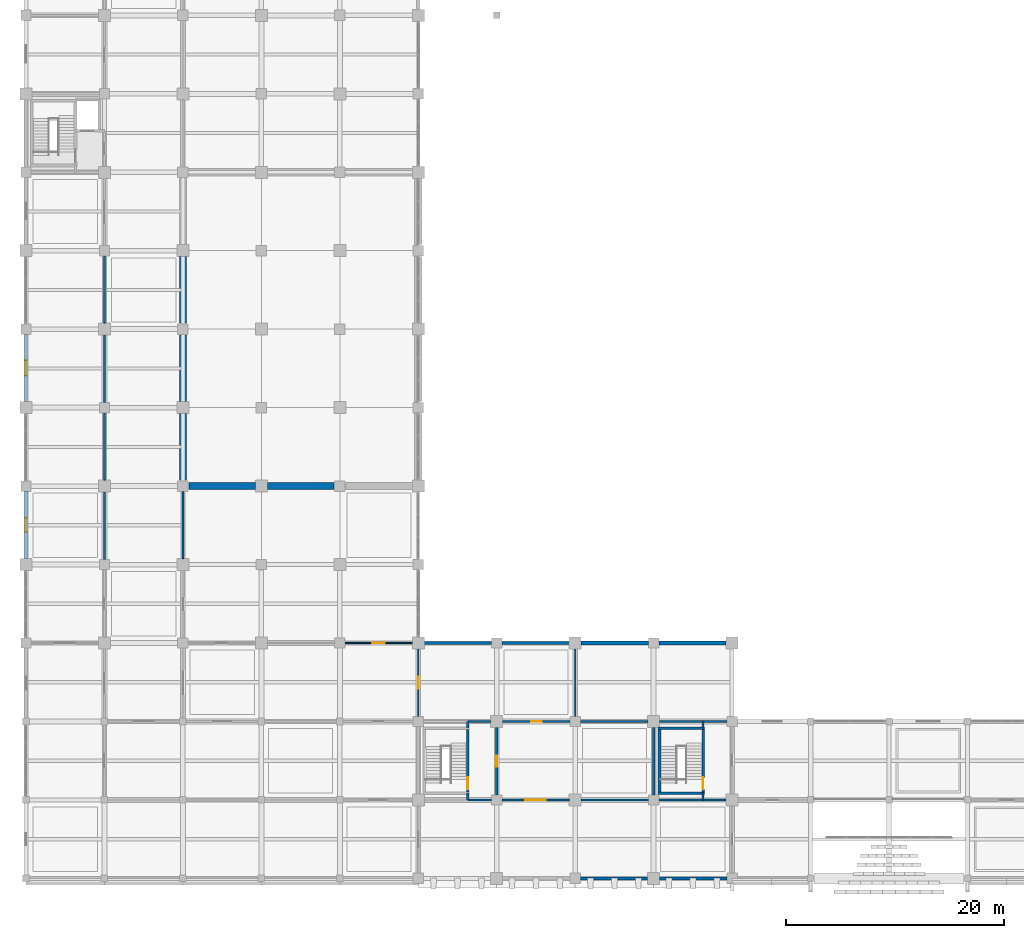
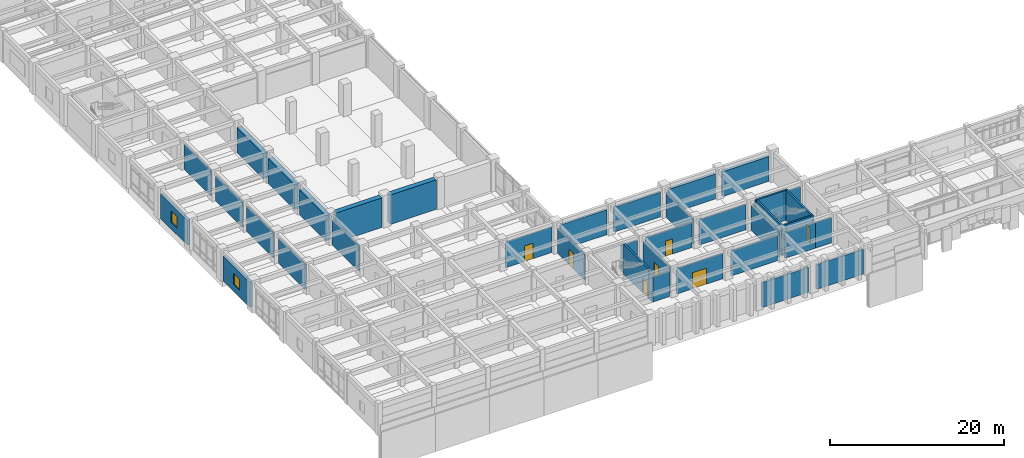
# One storey, part 60 of 81: 42 walls, 7 doors, 2 windows, 9 openings.
"""IFC4 building model written with IfcOpenShell, lengths in metres."""

from ifc_helpers import new_model, si_unit, direction, frame, frame_2d, origin, place, context, subcontext, project, spatial, rectangle, extrude, material, layer, layer_set, type_object, element, fill, save


model = new_model("IFC4")

# Units and contexts
model_context = context("Model", 3, precision=1e-05, world=origin(), true_north=direction((0.0, 1.0)))
body_context = subcontext(model_context, "Body", "Model", "MODEL_VIEW")
ifc_project = project(units=[si_unit("LENGTHUNIT", "METRE"), si_unit("AREAUNIT", "SQUARE_METRE"), si_unit("VOLUMEUNIT", "CUBIC_METRE"), si_unit("PLANEANGLEUNIT", "RADIAN"), si_unit("MASSUNIT", "GRAM", prefix="KILO")], contexts=[model_context])

# Site, building, storey
site_placement = place(None, origin())
site = spatial("IfcSite", under=ifc_project, at=site_placement, CompositionType="ELEMENT")
building_placement = place(site_placement, origin())
building = spatial("IfcBuilding", under=site, at=building_placement, Name="Kavelor Marine Aquarium", CompositionType="ELEMENT")
storey_placement = place(building_placement, frame((0.0, 0.0, 4.679931640625)))
storey = spatial("IfcBuildingStorey", under=building, at=storey_placement, Name="L01", CompositionType="ELEMENT", Elevation=4.679931640625)

# Wall
ifc_material_1 = material(Name="Concrete C45/55", Category="concrete")
ifc_layer_1 = layer(ifc_material_1, 0.360107421875)
ifc_layer_set_1 = layer_set([ifc_layer_1], Name="WL-EX1")
wall_type_1 = type_object("IfcWallType", Name="WL-EX1", PredefinedType="STANDARD", material=ifc_layer_set_1)
wall_1_placement = place(storey_placement, frame((61.27001953125, 24.39990234375, 0.0), z_axis=(0.0, 0.0, 1.0), x_axis=(1.0, 0.0, 0.0)))
element("IfcWall", 1, at=wall_1_placement, inside=storey, type_object=wall_type_1, Name="ew:x:L01:08_03", PredefinedType="STANDARD", context=body_context, shape_type="SweptSolid", body=[
    extrude(rectangle(XDim=6.18505859375, YDim=0.360107421875, at=frame_2d((3.092529296875, 0.0))), origin(), (0.0, 0.0, 1.0), 3.489990234375),
])

# Wall, opening, window
ifc_material_2 = material(Name="Concrete C45/55", Category="concrete")
ifc_layer_2 = layer(ifc_material_2, 0.320068359375)
ifc_layer_set_2 = layer_set([ifc_layer_2], Name="WL-EX2")
wall_type_2 = type_object("IfcWallType", Name="WL-EX2", PredefinedType="STANDARD", material=ifc_layer_set_2)
wall_2_placement = place(storey_placement, frame((3.199951171875, 46.544921875, 0.0), z_axis=(0.0, 0.0, 1.0), x_axis=(0.0, 1.0, 0.0)))
wall_2 = element("IfcWall", 2, at=wall_2_placement, inside=storey, type_object=wall_type_2, Name="ew:y:L01:00_06", PredefinedType="STANDARD", context=body_context, shape_type="SweptSolid", body=[
    extrude(rectangle(XDim=6.18505859375, YDim=0.320068359375, at=frame_2d((3.092529296875, 0.0))), origin(), (0.0, 0.0, 1.0), 3.489990234375),
])
opening_1_placement = place(wall_2_placement, frame((2.392578125, 0.0, 0.949951171875)))
opening_1 = element("IfcOpeningElement", 3, at=opening_1_placement, cuts=wall_2, Name="Opening W04", PredefinedType="OPENING", context=body_context, shape_type="SweptSolid", body=[
    extrude(rectangle(XDim=1.39990234375, YDim=1.60009765625, at=frame_2d((0.699951171875, 0.800048828125))), frame((0.0, 0.169921875, 0.0), z_axis=(0.0, -1.0, 0.0), x_axis=(1.0, 0.0, 0.0)), (0.0, 0.0, 1.0), 0.340068),
])
ifc_material_3 = material(Name="Anodised Aluminium Frame with Low-E Double Glazing", Category="aluminium")
window_type_1 = type_object("IfcWindowType", Name="WIN-W04", PartitioningType="SINGLE_PANEL", PredefinedType="WINDOW", material=ifc_material_3)
window_1_placement = place(opening_1_placement, origin())
window_1 = element("IfcWindow", 4, at=window_1_placement, inside=storey, type_object=window_type_1, Name="win:y:L01:00_06", OverallHeight=1.60009765625, OverallWidth=1.39990234375, PartitioningType="SINGLE_PANEL", PredefinedType="WINDOW", context=body_context, shape_type="SweptSolid", body=[
    extrude(rectangle(XDim=1.39990234375, YDim=1.60009765625, at=frame_2d((0.699951171875, 0.800048828125))), frame((0.0, 0.030029296875, 0.0), z_axis=(0.0, -1.0, 0.0), x_axis=(1.0, 0.0, 0.0)), (0.0, 0.0, 1.0), 0.06005859375),
])
fill(opening_1, window_1)

# Walls
ifc_material_4 = material(Name="Concrete C40/50", Category="concrete")
ifc_layer_3 = layer(ifc_material_4, 0.300048828125)
ifc_layer_set_3 = layer_set([ifc_layer_3], Name="WL-EX3")
wall_type_3 = type_object("IfcWallType", Name="WL-EX3", PredefinedType="STANDARD", material=ifc_layer_set_3)
wall_3_placement = place(storey_placement, frame((60.2548828125, 2.800048828125, 0.0), z_axis=(0.0, 0.0, 1.0), x_axis=(-1.0, 0.0, 0.0)))
element("IfcWall", 5, at=wall_3_placement, inside=storey, type_object=wall_type_3, Name="ew:x:L01:07_00", PredefinedType="STANDARD", context=body_context, shape_type="SweptSolid", body=[
    extrude(rectangle(XDim=6.184814453125, YDim=0.300048828125, at=frame_2d((3.09228515625, 0.0))), origin(), (0.0, 0.0, 1.0), 3.510009765625),
])
ifc_material_5 = material(Name="Concrete C40/50", Category="concrete")
ifc_layer_4 = layer(ifc_material_5, 0.280029296875)
ifc_layer_set_4 = layer_set([ifc_layer_4], Name="WL-EX4")
wall_type_4 = type_object("IfcWallType", Name="WL-EX4", PredefinedType="STANDARD", material=ifc_layer_set_4)
wall_4_placement = place(storey_placement, frame((39.7451171875, 24.39990234375, 0.0), z_axis=(0.0, 0.0, 1.0), x_axis=(1.0, 0.0, 0.0)))
element("IfcWall", 6, at=wall_4_placement, inside=storey, type_object=wall_type_4, Name="ew:x:L01:05_03", PredefinedType="STANDARD", context=body_context, shape_type="SweptSolid", body=[
    extrude(rectangle(XDim=6.184814453125, YDim=0.280029296875, at=frame_2d((3.09228515625, 0.0))), origin(), (0.0, 0.0, 1.0), 3.510009765625),
])
wall_5_placement = place(storey_placement, frame((67.530029296875, 2.800048828125, 0.0), z_axis=(0.0, 0.0, 1.0), x_axis=(-1.0, 0.0, 0.0)))
element("IfcWall", 7, at=wall_5_placement, inside=storey, type_object=wall_type_4, Name="ew:x:L01:08_00", PredefinedType="STANDARD", context=body_context, shape_type="SweptSolid", body=[
    extrude(rectangle(XDim=6.18505859375, YDim=0.280029296875, at=frame_2d((3.092529296875, 0.0))), origin(), (0.0, 0.0, 1.0), 3.489990234375),
])
ifc_material_6 = material(Name="Concrete C40/50", Category="concrete")
ifc_layer_5 = layer(ifc_material_6, 0.260009765625)
ifc_layer_set_5 = layer_set([ifc_layer_5], Name="WL-EX5")
wall_type_5 = type_object("IfcWallType", Name="WL-EX5", PredefinedType="STANDARD", material=ifc_layer_set_5)
wall_6_placement = place(storey_placement, frame((46.8701171875, 24.39990234375, 0.0), z_axis=(0.0, 0.0, 1.0), x_axis=(1.0, 0.0, 0.0)))
element("IfcWall", 8, at=wall_6_placement, inside=storey, type_object=wall_type_5, Name="ew:x:L01:06_03", PredefinedType="STANDARD", context=body_context, shape_type="SweptSolid", body=[
    extrude(rectangle(XDim=6.184814453125, YDim=0.260009765625, at=frame_2d((3.09228515625, 0.0))), origin(), (0.0, 0.0, 1.0), 3.489990234375),
])
ifc_material_7 = material(Name="Concrete C45/55", Category="concrete")
ifc_layer_6 = layer(ifc_material_7, 0.340087890625)
ifc_layer_set_6 = layer_set([ifc_layer_6], Name="WL-EX6")
wall_type_6 = type_object("IfcWallType", Name="WL-EX6", PredefinedType="STANDARD", material=ifc_layer_set_6)
wall_7_placement = place(storey_placement, frame((54.14501953125, 24.39990234375, 0.0), z_axis=(0.0, 0.0, 1.0), x_axis=(1.0, 0.0, 0.0)))
element("IfcWall", 9, at=wall_7_placement, inside=storey, type_object=wall_type_6, Name="ew:x:L01:07_03", PredefinedType="STANDARD", context=body_context, shape_type="SweptSolid", body=[
    extrude(rectangle(XDim=6.18505859375, YDim=0.340087890625, at=frame_2d((3.092529296875, 0.0))), origin(), (0.0, 0.0, 1.0), 3.510009765625),
])

# Wall, opening, window
wall_8_placement = place(storey_placement, frame((3.199951171875, 32.14501953125, 0.0), z_axis=(0.0, 0.0, 1.0), x_axis=(0.0, 1.0, 0.0)))
wall_8 = element("IfcWall", 10, at=wall_8_placement, inside=storey, type_object=wall_type_6, Name="ew:y:L01:00_04", PredefinedType="STANDARD", context=body_context, shape_type="SweptSolid", body=[
    extrude(rectangle(XDim=6.18505859375, YDim=0.340087890625, at=frame_2d((3.092529296875, 0.0))), origin(), (0.0, 0.0, 1.0), 3.489990234375),
])
opening_2_placement = place(wall_8_placement, frame((2.4423828125, 0.0, 0.949951171875)))
opening_2 = element("IfcOpeningElement", 11, at=opening_2_placement, cuts=wall_8, Name="Opening W03", PredefinedType="OPENING", context=body_context, shape_type="SweptSolid", body=[
    extrude(rectangle(XDim=1.300048828125, YDim=1.550048828125, at=frame_2d((0.64990234375, 0.77490234375))), frame((0.0, 0.179931640625, 0.0), z_axis=(0.0, -1.0, 0.0), x_axis=(1.0, 0.0, 0.0)), (0.0, 0.0, 1.0), 0.360088),
])
ifc_material_8 = material(Name="Anodised Aluminium Frame with Low-E Double Glazing", Category="aluminium")
window_type_2 = type_object("IfcWindowType", Name="WIN-W03", PartitioningType="SINGLE_PANEL", PredefinedType="WINDOW", material=ifc_material_8)
window_2_placement = place(opening_2_placement, origin())
window_2 = element("IfcWindow", 12, at=window_2_placement, inside=storey, type_object=window_type_2, Name="win:y:L01:00_04", OverallHeight=1.550048828125, OverallWidth=1.300048828125, PartitioningType="SINGLE_PANEL", PredefinedType="WINDOW", context=body_context, shape_type="SweptSolid", body=[
    extrude(rectangle(XDim=1.300048828125, YDim=1.550048828125, at=frame_2d((0.64990234375, 0.77490234375))), frame((0.0, 0.030029296875, 0.0), z_axis=(0.0, -1.0, 0.0), x_axis=(1.0, 0.0, 0.0)), (0.0, 0.0, 1.0), 0.06005859375),
])
fill(opening_2, window_2)

# Walls
ifc_material_9 = material(Name="Concrete Blockwork Partition", Category="masonry")
ifc_layer_7 = layer(ifc_material_9, 0.199951171875)
ifc_layer_set_7 = layer_set([ifc_layer_7], Name="WL-PT1")
wall_type_7 = type_object("IfcWallType", Name="WL-PT1", PredefinedType="PARTITIONING", material=ifc_layer_set_7)
wall_9_placement = place(storey_placement, frame((43.739990234375, 10.0, 0.0), z_axis=(0.0, 0.0, 1.0), x_axis=(0.0, 1.0, 0.0)))
element("IfcWall", 13, at=wall_9_placement, inside=storey, type_object=wall_type_7, Name="pt:st_close:s:C04:L01", PredefinedType="PARTITIONING", context=body_context, shape_type="SweptSolid", body=[
    extrude(rectangle(XDim=0.6201171875, YDim=0.199951171875, at=frame_2d((0.31005859375, 0.0))), origin(), (0.0, 0.0, 1.0), 3.5400390625),
])
wall_10_placement = place(storey_placement, frame((43.739990234375, 16.580078125, 0.0), z_axis=(0.0, 0.0, 1.0), x_axis=(0.0, 1.0, 0.0)))
element("IfcWall", 14, at=wall_10_placement, inside=storey, type_object=wall_type_7, Name="pt:st_close:n:C04:L01", PredefinedType="PARTITIONING", context=body_context, shape_type="SweptSolid", body=[
    extrude(rectangle(XDim=0.619873046875, YDim=0.199951171875, at=frame_2d((0.31005859375, 0.0))), origin(), (0.0, 0.0, 1.0), 3.590087890625),
])

# Wall, opening, door
wall_11_placement = place(storey_placement, frame((46.39990234375, 10.47509765625, 0.0), z_axis=(0.0, 0.0, 1.0), x_axis=(0.0, 1.0, 0.0)))
wall_11 = element("IfcWall", 15, at=wall_11_placement, inside=storey, type_object=wall_type_7, Name="pt:lob:C04:L01:e", PredefinedType="PARTITIONING", context=body_context, shape_type="SweptSolid", body=[
    extrude(rectangle(XDim=6.1748046875, YDim=0.199951171875, at=frame_2d((3.08740234375, 0.0))), origin(), (0.0, 0.0, 1.0), 3.590087890625),
])
opening_3_placement = place(wall_11_placement, frame((2.577392578125, 0.0, 0.0)))
opening_3 = element("IfcOpeningElement", 16, at=opening_3_placement, cuts=wall_11, Name="Opening SD1", PredefinedType="OPENING", context=body_context, shape_type="SweptSolid", body=[
    extrude(rectangle(XDim=1.02001953125, YDim=2.14990234375, at=frame_2d((0.510009765625, 1.074951171875))), frame((0.0, 0.10986328125, 0.0), z_axis=(0.0, -1.0, 0.0), x_axis=(1.0, 0.0, 0.0)), (0.0, 0.0, 1.0), 0.219951),
])
ifc_material_10 = material(Name="Fire-Rated Corridor Compartment Door")
door_type_1 = type_object("IfcDoorType", Name="DR-SD1", OperationType="NOTDEFINED", PredefinedType="DOOR", material=ifc_material_10)
door_1_placement = place(opening_3_placement, origin())
door_1 = element("IfcDoor", 17, at=door_1_placement, inside=storey, type_object=door_type_1, Name="Core Lobby Fire Door C04-L01", OperationType="SINGLE_SWING_RIGHT", OverallHeight=2.14990234375, OverallWidth=1.02001953125, PredefinedType="DOOR", context=body_context, shape_type="SweptSolid", body=[
    extrude(rectangle(XDim=1.02001953125, YDim=2.14990234375, at=frame_2d((0.510009765625, 1.074951171875))), frame((0.0, 0.02490234375, 0.0), z_axis=(0.0, -1.0, 0.0), x_axis=(1.0, 0.0, 0.0)), (0.0, 0.0, 1.0), 0.050048828125),
])
fill(opening_3, door_1)

# Walls
wall_12_placement = place(storey_placement, frame((43.739990234375, 10.0, 0.0), z_axis=(0.0, 0.0, 1.0), x_axis=(1.0, 0.0, 0.0)))
element("IfcWall", 18, at=wall_12_placement, inside=storey, type_object=wall_type_7, Name="pt:lob:C04:L01:s", PredefinedType="PARTITIONING", context=body_context, shape_type="SweptSolid", body=[
    extrude(rectangle(XDim=2.18505859375, YDim=0.199951171875, at=frame_2d((1.092529296875, 0.0))), origin(), (0.0, 0.0, 1.0), 3.5400390625),
])
wall_13_placement = place(storey_placement, frame((43.739990234375, 17.199951171875, 0.0), z_axis=(0.0, 0.0, 1.0), x_axis=(1.0, 0.0, 0.0)))
element("IfcWall", 19, at=wall_13_placement, inside=storey, type_object=wall_type_7, Name="pt:lob:C04:L01:n", PredefinedType="PARTITIONING", context=body_context, shape_type="SweptSolid", body=[
    extrude(rectangle(XDim=2.110107421875, YDim=0.199951171875, at=frame_2d((1.05517578125, 0.0))), origin(), (0.0, 0.0, 1.0), 3.590087890625),
])
wall_14_placement = place(storey_placement, frame((65.340087890625, 10.0, 0.0), z_axis=(0.0, 0.0, 1.0), x_axis=(0.0, 1.0, 0.0)))
element("IfcWall", 20, at=wall_14_placement, inside=storey, type_object=wall_type_7, Name="pt:st_close:s:C12:L01", PredefinedType="PARTITIONING", context=body_context, shape_type="SweptSolid", body=[
    extrude(rectangle(XDim=0.6201171875, YDim=0.199951171875, at=frame_2d((0.31005859375, 0.0))), origin(), (0.0, 0.0, 1.0), 3.590087890625),
])
wall_15_placement = place(storey_placement, frame((65.340087890625, 16.580078125, 0.0), z_axis=(0.0, 0.0, 1.0), x_axis=(0.0, 1.0, 0.0)))
element("IfcWall", 21, at=wall_15_placement, inside=storey, type_object=wall_type_7, Name="pt:st_close:n:C12:L01", PredefinedType="PARTITIONING", context=body_context, shape_type="SweptSolid", body=[
    extrude(rectangle(XDim=0.619873046875, YDim=0.199951171875, at=frame_2d((0.31005859375, 0.0))), origin(), (0.0, 0.0, 1.0), 3.5400390625),
])
wall_16_placement = place(storey_placement, frame((60.800048828125, 10.47509765625, 0.0), z_axis=(0.0, 0.0, 1.0), x_axis=(0.0, 1.0, 0.0)))
element("IfcWall", 22, at=wall_16_placement, inside=storey, type_object=wall_type_7, Name="pt:lob:C12:L01:w", PredefinedType="PARTITIONING", context=body_context, shape_type="SweptSolid", body=[
    extrude(rectangle(XDim=6.1748046875, YDim=0.199951171875, at=frame_2d((3.08740234375, 0.0))), origin(), (0.0, 0.0, 1.0), 3.590087890625),
])
wall_17_placement = place(storey_placement, frame((61.27490234375, 10.0, 0.0), z_axis=(0.0, 0.0, 1.0), x_axis=(1.0, 0.0, 0.0)))
element("IfcWall", 23, at=wall_17_placement, inside=storey, type_object=wall_type_7, Name="pt:lob:C12:L01:s_st", PredefinedType="PARTITIONING", context=body_context, shape_type="SweptSolid", body=[
    extrude(rectangle(XDim=4.065185546875, YDim=0.199951171875, at=frame_2d((2.03271484375, 0.0))), origin(), (0.0, 0.0, 1.0), 3.590087890625),
])
wall_18_placement = place(storey_placement, frame((65.340087890625, 10.0, 0.0), z_axis=(0.0, 0.0, 1.0), x_axis=(1.0, 0.0, 0.0)))
element("IfcWall", 24, at=wall_18_placement, inside=storey, type_object=wall_type_7, Name="pt:lob:C12:L01:s", PredefinedType="PARTITIONING", context=body_context, shape_type="SweptSolid", body=[
    extrude(rectangle(XDim=2.10986328125, YDim=0.199951171875, at=frame_2d((1.054931640625, 0.0))), origin(), (0.0, 0.0, 1.0), 3.590087890625),
])
wall_19_placement = place(storey_placement, frame((61.35009765625, 17.199951171875, 0.0), z_axis=(0.0, 0.0, 1.0), x_axis=(1.0, 0.0, 0.0)))
element("IfcWall", 25, at=wall_19_placement, inside=storey, type_object=wall_type_7, Name="pt:lob:C12:L01:n_st", PredefinedType="PARTITIONING", context=body_context, shape_type="SweptSolid", body=[
    extrude(rectangle(XDim=3.989990234375, YDim=0.199951171875, at=frame_2d((1.9951171875, 0.0))), origin(), (0.0, 0.0, 1.0), 3.5400390625),
])
wall_20_placement = place(storey_placement, frame((65.340087890625, 17.199951171875, 0.0), z_axis=(0.0, 0.0, 1.0), x_axis=(1.0, 0.0, 0.0)))
element("IfcWall", 26, at=wall_20_placement, inside=storey, type_object=wall_type_7, Name="pt:lob:C12:L01:n", PredefinedType="PARTITIONING", context=body_context, shape_type="SweptSolid", body=[
    extrude(rectangle(XDim=2.184814453125, YDim=0.199951171875, at=frame_2d((1.09228515625, 0.0))), origin(), (0.0, 0.0, 1.0), 3.5400390625),
])
ifc_material_11 = material(Name="Acoustic Gypsum Stud Partition")
ifc_layer_8 = layer(ifc_material_11, 0.159912109375)
ifc_layer_set_8 = layer_set([ifc_layer_8], Name="WL-PT2")
wall_type_8 = type_object("IfcWallType", Name="WL-PT2", PredefinedType="PARTITIONING", material=ifc_layer_set_8)
wall_21_placement = place(storey_placement, frame((10.39990234375, 32.074951171875, 0.0), z_axis=(0.0, 0.0, 1.0), x_axis=(0.0, 1.0, 0.0)))
element("IfcWall", 27, at=wall_21_placement, inside=storey, type_object=wall_type_8, Name="pt:y:L01:00_04", PredefinedType="PARTITIONING", context=body_context, shape_type="SweptSolid", body=[
    extrude(rectangle(XDim=6.175048828125, YDim=0.159912109375, at=frame_2d((3.08740234375, 0.0))), origin(), (0.0, 0.0, 1.0), 3.5400390625),
])
wall_22_placement = place(storey_placement, frame((10.39990234375, 39.35009765625, 0.0), z_axis=(0.0, 0.0, 1.0), x_axis=(0.0, 1.0, 0.0)))
element("IfcWall", 28, at=wall_22_placement, inside=storey, type_object=wall_type_8, Name="pt:y:L01:00_05", PredefinedType="PARTITIONING", context=body_context, shape_type="SweptSolid", body=[
    extrude(rectangle(XDim=6.1748046875, YDim=0.159912109375, at=frame_2d((3.08740234375, 0.0))), origin(), (0.0, 0.0, 1.0), 3.590087890625),
])
wall_23_placement = place(storey_placement, frame((10.39990234375, 46.47509765625, 0.0), z_axis=(0.0, 0.0, 1.0), x_axis=(0.0, 1.0, 0.0)))
element("IfcWall", 29, at=wall_23_placement, inside=storey, type_object=wall_type_8, Name="pt:y:L01:00_06", PredefinedType="PARTITIONING", context=body_context, shape_type="SweptSolid", body=[
    extrude(rectangle(XDim=6.1748046875, YDim=0.159912109375, at=frame_2d((3.08740234375, 0.0))), origin(), (0.0, 0.0, 1.0), 3.5400390625),
])
wall_24_placement = place(storey_placement, frame((10.39990234375, 53.75, 0.0), z_axis=(0.0, 0.0, 1.0), x_axis=(0.0, 1.0, 0.0)))
element("IfcWall", 30, at=wall_24_placement, inside=storey, type_object=wall_type_8, Name="pt:y:L01:00_07", PredefinedType="PARTITIONING", context=body_context, shape_type="SweptSolid", body=[
    extrude(rectangle(XDim=6.175048828125, YDim=0.159912109375, at=frame_2d((3.08740234375, 0.0))), origin(), (0.0, 0.0, 1.0), 3.590087890625),
])
wall_25_placement = place(storey_placement, frame((17.60009765625, 32.14990234375, 0.0), z_axis=(0.0, 0.0, 1.0), x_axis=(0.0, 1.0, 0.0)))
element("IfcWall", 31, at=wall_25_placement, inside=storey, type_object=wall_type_8, Name="pt:y:L01:01_04", PredefinedType="PARTITIONING", context=body_context, shape_type="SweptSolid", body=[
    extrude(rectangle(XDim=6.175048828125, YDim=0.159912109375, at=frame_2d((3.08740234375, 0.0))), origin(), (0.0, 0.0, 1.0), 3.510009765625),
])

# Wall, opening, door
wall_26_placement = place(storey_placement, frame((46.875, 10.0, 0.0), z_axis=(0.0, 0.0, 1.0), x_axis=(1.0, 0.0, 0.0)))
wall_26 = element("IfcWall", 32, at=wall_26_placement, inside=storey, type_object=wall_type_8, Name="pt:x:L01:06_00", PredefinedType="PARTITIONING", context=body_context, shape_type="SweptSolid", body=[
    extrude(rectangle(XDim=6.175048828125, YDim=0.159912109375, at=frame_2d((3.08740234375, 0.0))), origin(), (0.0, 0.0, 1.0), 3.590087890625),
])
opening_4_placement = place(wall_26_placement, frame((2.157470703125, 0.0, 0.0)))
opening_4 = element("IfcOpeningElement", 33, at=opening_4_placement, cuts=wall_26, Name="Opening D13", PredefinedType="OPENING", context=body_context, shape_type="SweptSolid", body=[
    extrude(rectangle(XDim=1.860107421875, YDim=2.260009765625, at=frame_2d((0.93017578125, 1.1298828125))), frame((0.0, 0.08984375, 0.0), z_axis=(0.0, -1.0, 0.0), x_axis=(1.0, 0.0, 0.0)), (0.0, 0.0, 1.0), 0.179912),
])
ifc_material_12 = material(Name="Main Foyer Exhibition Double Door")
door_type_2 = type_object("IfcDoorType", Name="DR-D13", OperationType="NOTDEFINED", PredefinedType="DOOR", material=ifc_material_12)
door_2_placement = place(opening_4_placement, origin())
door_2 = element("IfcDoor", 34, at=door_2_placement, inside=storey, type_object=door_type_2, Name="dr:rm:pt:x:L01:06_00:0", OperationType="DOUBLE_DOOR_SINGLE_SWING", OverallHeight=2.260009765625, OverallWidth=1.860107421875, PredefinedType="DOOR", context=body_context, shape_type="SweptSolid", body=[
    extrude(rectangle(XDim=1.860107421875, YDim=2.260009765625, at=frame_2d((0.93017578125, 1.1298828125))), frame((0.0, 0.02490234375, 0.0), z_axis=(0.0, -1.0, 0.0), x_axis=(1.0, 0.0, 0.0)), (0.0, 0.0, 1.0), 0.050048828125),
])
fill(opening_4, door_2)

wall_27_placement = place(storey_placement, frame((46.949951171875, 17.199951171875, 0.0), z_axis=(0.0, 0.0, 1.0), x_axis=(1.0, 0.0, 0.0)))
wall_27 = element("IfcWall", 35, at=wall_27_placement, inside=storey, type_object=wall_type_8, Name="pt:x:L01:06_01", PredefinedType="PARTITIONING", context=body_context, shape_type="SweptSolid", body=[
    extrude(rectangle(XDim=6.175048828125, YDim=0.159912109375, at=frame_2d((3.08740234375, 0.0))), origin(), (0.0, 0.0, 1.0), 3.5400390625),
])
opening_5_placement = place(wall_27_placement, frame((2.597412109375, 0.0, 0.0)))
opening_5 = element("IfcOpeningElement", 36, at=opening_5_placement, cuts=wall_27, Name="Opening D07", PredefinedType="OPENING", context=body_context, shape_type="SweptSolid", body=[
    extrude(rectangle(XDim=0.97998046875, YDim=2.1201171875, at=frame_2d((0.489990234375, 1.06005859375))), frame((0.0, 0.08984375, 0.0), z_axis=(0.0, -1.0, 0.0), x_axis=(1.0, 0.0, 0.0)), (0.0, 0.0, 1.0), 0.179912),
])
ifc_material_13 = material(Name="Research Write-Up Timber Door", Category="wood")
door_type_3 = type_object("IfcDoorType", Name="DR-D07", OperationType="NOTDEFINED", PredefinedType="DOOR", material=ifc_material_13)
door_3_placement = place(opening_5_placement, origin())
door_3 = element("IfcDoor", 37, at=door_3_placement, inside=storey, type_object=door_type_3, Name="dr:rm:pt:x:L01:06_01:0", OperationType="SINGLE_SWING_LEFT", OverallHeight=2.1201171875, OverallWidth=0.97998046875, PredefinedType="DOOR", context=body_context, shape_type="SweptSolid", body=[
    extrude(rectangle(XDim=0.97998046875, YDim=2.1201171875, at=frame_2d((0.489990234375, 1.06005859375))), frame((0.0, 0.02490234375, 0.0), z_axis=(0.0, -1.0, 0.0), x_axis=(1.0, 0.0, 0.0)), (0.0, 0.0, 1.0), 0.050048828125),
])
fill(opening_5, door_3)

# Walls
wall_28_placement = place(storey_placement, frame((54.14990234375, 10.0, 0.0), z_axis=(0.0, 0.0, 1.0), x_axis=(1.0, 0.0, 0.0)))
element("IfcWall", 38, at=wall_28_placement, inside=storey, type_object=wall_type_8, Name="pt:x:L01:07_00", PredefinedType="PARTITIONING", context=body_context, shape_type="SweptSolid", body=[
    extrude(rectangle(XDim=6.175048828125, YDim=0.159912109375, at=frame_2d((3.08740234375, 0.0))), origin(), (0.0, 0.0, 1.0), 3.5400390625),
])
wall_29_placement = place(storey_placement, frame((54.074951171875, 17.199951171875, 0.0), z_axis=(0.0, 0.0, 1.0), x_axis=(1.0, 0.0, 0.0)))
element("IfcWall", 39, at=wall_29_placement, inside=storey, type_object=wall_type_8, Name="pt:x:L01:07_01", PredefinedType="PARTITIONING", context=body_context, shape_type="SweptSolid", body=[
    extrude(rectangle(XDim=6.175048828125, YDim=0.159912109375, at=frame_2d((3.08740234375, 0.0))), origin(), (0.0, 0.0, 1.0), 3.590087890625),
])

# Wall, opening, door
ifc_material_14 = material(Name="Lightweight Drywall Partition")
ifc_layer_9 = layer(ifc_material_14, 0.1201171875)
ifc_layer_set_9 = layer_set([ifc_layer_9], Name="WL-PT4")
wall_type_9 = type_object("IfcWallType", Name="WL-PT4", PredefinedType="PARTITIONING", material=ifc_layer_set_9)
wall_30_placement = place(storey_placement, frame((39.199951171875, 17.675048828125, 0.0), z_axis=(0.0, 0.0, 1.0), x_axis=(0.0, 1.0, 0.0)))
wall_30 = element("IfcWall", 40, at=wall_30_placement, inside=storey, type_object=wall_type_9, Name="pt:y:L01:04_02", PredefinedType="PARTITIONING", context=body_context, shape_type="SweptSolid", body=[
    extrude(rectangle(XDim=6.175048828125, YDim=0.1201171875, at=frame_2d((3.08740234375, 0.0))), origin(), (0.0, 0.0, 1.0), 3.56005859375),
])
opening_6_placement = place(wall_30_placement, frame((2.547607421875, 0.0, 0.0)))
opening_6 = element("IfcOpeningElement", 41, at=opening_6_placement, cuts=wall_30, Name="Opening D08", PredefinedType="OPENING", context=body_context, shape_type="SweptSolid", body=[
    extrude(rectangle(XDim=1.080078125, YDim=2.159912109375, at=frame_2d((0.5400390625, 1.080078125))), frame((0.0, 0.070068359375, 0.0), z_axis=(0.0, -1.0, 0.0), x_axis=(1.0, 0.0, 0.0)), (0.0, 0.0, 1.0), 0.140117),
])
ifc_material_15 = material(Name="Discovery Wet Lab Vision Door")
door_type_4 = type_object("IfcDoorType", Name="DR-D08", OperationType="NOTDEFINED", PredefinedType="DOOR", material=ifc_material_15)
door_4_placement = place(opening_6_placement, origin())
door_4 = element("IfcDoor", 42, at=door_4_placement, inside=storey, type_object=door_type_4, Name="dr:rm:pt:y:L01:04_02:0", OperationType="SINGLE_SWING_LEFT", OverallHeight=2.159912109375, OverallWidth=1.080078125, PredefinedType="DOOR", context=body_context, shape_type="SweptSolid", body=[
    extrude(rectangle(XDim=1.080078125, YDim=2.159912109375, at=frame_2d((0.5400390625, 1.080078125))), frame((0.0, 0.02490234375, 0.0), z_axis=(0.0, -1.0, 0.0), x_axis=(1.0, 0.0, 0.0)), (0.0, 0.0, 1.0), 0.050048828125),
])
fill(opening_6, door_4)

wall_31_placement = place(storey_placement, frame((32.47509765625, 24.39990234375, 0.0), z_axis=(0.0, 0.0, 1.0), x_axis=(1.0, 0.0, 0.0)))
wall_31 = element("IfcWall", 43, at=wall_31_placement, inside=storey, type_object=wall_type_9, Name="pt:x:L01:04_02", PredefinedType="PARTITIONING", context=body_context, shape_type="SweptSolid", body=[
    extrude(rectangle(XDim=6.1748046875, YDim=0.1201171875, at=frame_2d((3.08740234375, 0.0))), origin(), (0.0, 0.0, 1.0), 3.610107421875),
])
opening_7_placement = place(wall_31_placement, frame((2.507568359375, 0.0, 0.0)))
opening_7 = element("IfcOpeningElement", 44, at=opening_7_placement, cuts=wall_31, Name="Opening D09", PredefinedType="OPENING", context=body_context, shape_type="SweptSolid", body=[
    extrude(rectangle(XDim=1.159912109375, YDim=2.179931640625, at=frame_2d((0.580078125, 1.08984375))), frame((0.0, 0.070068359375, 0.0), z_axis=(0.0, -1.0, 0.0), x_axis=(1.0, 0.0, 0.0)), (0.0, 0.0, 1.0), 0.140117),
])
ifc_material_16 = material(Name="Husbandry Prep Marine Door")
door_type_5 = type_object("IfcDoorType", Name="DR-D09", OperationType="NOTDEFINED", PredefinedType="DOOR", material=ifc_material_16)
door_5_placement = place(opening_7_placement, origin())
door_5 = element("IfcDoor", 45, at=door_5_placement, inside=storey, type_object=door_type_5, Name="dr:rm:pt:x:L01:04_02:1", OperationType="SINGLE_SWING_RIGHT", OverallHeight=2.179931640625, OverallWidth=1.159912109375, PredefinedType="DOOR", context=body_context, shape_type="SweptSolid", body=[
    extrude(rectangle(XDim=1.159912109375, YDim=2.179931640625, at=frame_2d((0.580078125, 1.08984375))), frame((0.0, 0.02490234375, 0.0), z_axis=(0.0, -1.0, 0.0), x_axis=(1.0, 0.0, 0.0)), (0.0, 0.0, 1.0), 0.050048828125),
])
fill(opening_7, door_5)

# Wall
wall_32_placement = place(storey_placement, frame((53.60009765625, 17.675048828125, 0.0), z_axis=(0.0, 0.0, 1.0), x_axis=(0.0, 1.0, 0.0)))
element("IfcWall", 46, at=wall_32_placement, inside=storey, type_object=wall_type_9, Name="pt:y:L01:06_02", PredefinedType="PARTITIONING", context=body_context, shape_type="SweptSolid", body=[
    extrude(rectangle(XDim=6.175048828125, YDim=0.1201171875, at=frame_2d((3.08740234375, 0.0))), origin(), (0.0, 0.0, 1.0), 3.5400390625),
])

# Wall, opening, door
ifc_material_17 = material(Name="Concrete C40/50", Category="concrete")
ifc_layer_10 = layer(ifc_material_17, 0.35009765625)
ifc_layer_set_10 = layer_set([ifc_layer_10], Name="WL-SW2")
wall_type_10 = type_object("IfcWallType", Name="WL-SW2", PredefinedType="SHEAR", material=ifc_layer_set_10)
wall_33_placement = place(storey_placement, frame((43.739990234375, 10.739990234375, 0.0), z_axis=(0.0, 0.0, 1.0), x_axis=(0.0, 1.0, 0.0)))
wall_33 = element("IfcWall", 47, at=wall_33_placement, inside=storey, type_object=wall_type_10, Name="cw_st:e:C04:L01", PredefinedType="SHEAR", context=body_context, shape_type="SweptSolid", body=[
    extrude(rectangle(XDim=5.719970703125, YDim=0.239990234375, at=frame_2d((2.85986328125, 0.0))), origin(), (0.0, 0.0, 1.0), 4.199951171875),
])
opening_8_placement = place(wall_33_placement, frame((0.219970703125, 0.0, 0.0)))
opening_8 = element("IfcOpeningElement", 48, at=opening_8_placement, cuts=wall_33, Name="Opening FD1", PredefinedType="OPENING", context=body_context, shape_type="SweptSolid", body=[
    extrude(rectangle(XDim=1.1201171875, YDim=2.14990234375, at=frame_2d((0.56005859375, 1.074951171875))), frame((0.0, 0.1298828125, 0.0), z_axis=(0.0, -1.0, 0.0), x_axis=(1.0, 0.0, 0.0)), (0.0, 0.0, 1.0), 0.25999),
])
ifc_material_18 = material(Name="Fire-Rated Steel Stair and Core Door", Category="steel")
door_type_6 = type_object("IfcDoorType", Name="DR-FD1", OperationType="NOTDEFINED", PredefinedType="DOOR", material=ifc_material_18)
door_6_placement = place(opening_8_placement, origin())
door_6 = element("IfcDoor", 49, at=door_6_placement, inside=storey, type_object=door_type_6, Name="Stair Fire Door ST04-L01", OperationType="SINGLE_SWING_LEFT", OverallHeight=2.14990234375, OverallWidth=1.1201171875, PredefinedType="DOOR", context=body_context, shape_type="SweptSolid", body=[
    extrude(rectangle(XDim=1.1201171875, YDim=2.14990234375, at=frame_2d((0.56005859375, 1.074951171875))), frame((0.0, 0.02490234375, 0.0), z_axis=(0.0, -1.0, 0.0), x_axis=(1.0, 0.0, 0.0)), (0.0, 0.0, 1.0), 0.050048828125),
])
fill(opening_8, door_6)

# Walls
for number, where, z_axis, x_axis, name in (
    (50, (61.219970703125, 10.6201171875, 0.0), (0.0, 0.0, 1.0), (1.0, 0.0, 0.0), "cw_st:s:C12:L01"),
    (51, (61.219970703125, 16.580078125, 0.0), (0.0, 0.0, 1.0), (1.0, 0.0, 0.0), "cw_st:n:C12:L01"),
):
    element("IfcWall", number, at=place(storey_placement, frame(where, z_axis=z_axis, x_axis=x_axis)), inside=storey, type_object=wall_type_10, Name=name, PredefinedType="SHEAR", context=body_context, shape_type="SweptSolid", body=[
        extrude(rectangle(XDim=4.239990234375, YDim=0.239990234375, at=frame_2d((2.1201171875, 0.0))), origin(), (0.0, 0.0, 1.0), 4.219970703125),
    ])
wall_34_placement = place(storey_placement, frame((61.340087890625, 10.739990234375, 0.0), z_axis=(0.0, 0.0, 1.0), x_axis=(0.0, 1.0, 0.0)))
element("IfcWall", 52, at=wall_34_placement, inside=storey, type_object=wall_type_10, Name="cw_st:w:C12:L01", PredefinedType="SHEAR", context=body_context, shape_type="SweptSolid", body=[
    extrude(rectangle(XDim=5.719970703125, YDim=0.239990234375, at=frame_2d((2.85986328125, 0.0))), origin(), (0.0, 0.0, 1.0), 4.219970703125),
])

# Wall, opening, door
wall_35_placement = place(storey_placement, frame((65.340087890625, 10.739990234375, 0.0), z_axis=(0.0, 0.0, 1.0), x_axis=(0.0, 1.0, 0.0)))
wall_35 = element("IfcWall", 53, at=wall_35_placement, inside=storey, type_object=wall_type_10, Name="cw_st:e:C12:L01", PredefinedType="SHEAR", context=body_context, shape_type="SweptSolid", body=[
    extrude(rectangle(XDim=5.719970703125, YDim=0.239990234375, at=frame_2d((2.85986328125, 0.0))), origin(), (0.0, 0.0, 1.0), 4.219970703125),
])
opening_9_placement = place(wall_35_placement, frame((0.219970703125, 0.0, 0.0)))
opening_9 = element("IfcOpeningElement", 54, at=opening_9_placement, cuts=wall_35, Name="Opening FD1", PredefinedType="OPENING", context=body_context, shape_type="SweptSolid", body=[
    extrude(rectangle(XDim=1.1201171875, YDim=2.14990234375, at=frame_2d((0.56005859375, 1.074951171875))), frame((0.0, 0.1298828125, 0.0), z_axis=(0.0, -1.0, 0.0), x_axis=(1.0, 0.0, 0.0)), (0.0, 0.0, 1.0), 0.25999),
])
door_7_placement = place(opening_9_placement, origin())
door_7 = element("IfcDoor", 55, at=door_7_placement, inside=storey, type_object=door_type_6, Name="Stair Fire Door ST12-L01", OperationType="SINGLE_SWING_LEFT", OverallHeight=2.14990234375, OverallWidth=1.1201171875, PredefinedType="DOOR", context=body_context, shape_type="SweptSolid", body=[
    extrude(rectangle(XDim=1.1201171875, YDim=2.14990234375, at=frame_2d((0.56005859375, 1.074951171875))), frame((0.0, 0.02490234375, 0.0), z_axis=(0.0, -1.0, 0.0), x_axis=(1.0, 0.0, 0.0)), (0.0, 0.0, 1.0), 0.050048828125),
])
fill(opening_9, door_7)

# Walls
ifc_material_19 = material(Name="Concrete C45/55", Category="concrete")
ifc_layer_11 = layer(ifc_material_19, 0.64990234375)
ifc_layer_set_11 = layer_set([ifc_layer_11], Name="WL-TK1")
wall_type_11 = type_object("IfcWallType", Name="WL-TK1", PredefinedType="SHEAR", material=ifc_layer_set_11)
wall_36_placement = place(storey_placement, frame((18.14990234375, 38.800048828125, 0.0), z_axis=(0.0, 0.0, 1.0), x_axis=(1.0, 0.0, 0.0)))
element("IfcWall", 56, at=wall_36_placement, inside=storey, type_object=wall_type_11, Name="tkw:x:L01:02_05", PredefinedType="SHEAR", context=body_context, shape_type="SweptSolid", body=[
    extrude(rectangle(XDim=6.10009765625, YDim=0.64990234375, at=frame_2d((3.050048828125, 0.0))), origin(), (0.0, 0.0, 1.0), 4.150146484375),
])
wall_37_placement = place(storey_placement, frame((25.35009765625, 38.800048828125, 0.0), z_axis=(0.0, 0.0, 1.0), x_axis=(1.0, 0.0, 0.0)))
element("IfcWall", 57, at=wall_37_placement, inside=storey, type_object=wall_type_11, Name="tkw:x:L01:03_05", PredefinedType="SHEAR", context=body_context, shape_type="SweptSolid", body=[
    extrude(rectangle(XDim=6.099853515625, YDim=0.64990234375, at=frame_2d((3.0498046875, 0.0))), origin(), (0.0, 0.0, 1.0), 4.150146484375),
])
wall_38_placement = place(storey_placement, frame((17.60009765625, 39.35009765625, 0.0), z_axis=(0.0, 0.0, 1.0), x_axis=(0.0, 1.0, 0.0)))
element("IfcWall", 58, at=wall_38_placement, inside=storey, type_object=wall_type_11, Name="tkw:y:L01:02_05", PredefinedType="SHEAR", context=body_context, shape_type="SweptSolid", body=[
    extrude(rectangle(XDim=6.099853515625, YDim=0.64990234375, at=frame_2d((3.0498046875, 0.0))), origin(), (0.0, 0.0, 1.0), 3.5),
])
wall_39_placement = place(storey_placement, frame((17.60009765625, 46.550048828125, 0.0), z_axis=(0.0, 0.0, 1.0), x_axis=(0.0, 1.0, 0.0)))
element("IfcWall", 59, at=wall_39_placement, inside=storey, type_object=wall_type_11, Name="tkw:y:L01:02_06", PredefinedType="SHEAR", context=body_context, shape_type="SweptSolid", body=[
    extrude(rectangle(XDim=6.099853515625, YDim=0.64990234375, at=frame_2d((3.0498046875, 0.0))), origin(), (0.0, 0.0, 1.0), 3.52001953125),
])
wall_40_placement = place(storey_placement, frame((17.60009765625, 53.75, 0.0), z_axis=(0.0, 0.0, 1.0), x_axis=(0.0, 1.0, 0.0)))
element("IfcWall", 60, at=wall_40_placement, inside=storey, type_object=wall_type_11, Name="tkw:y:L01:02_07", PredefinedType="SHEAR", context=body_context, shape_type="SweptSolid", body=[
    extrude(rectangle(XDim=6.10009765625, YDim=0.64990234375, at=frame_2d((3.050048828125, 0.0))), origin(), (0.0, 0.0, 1.0), 3.5),
])

save(model, "model.ifc")
